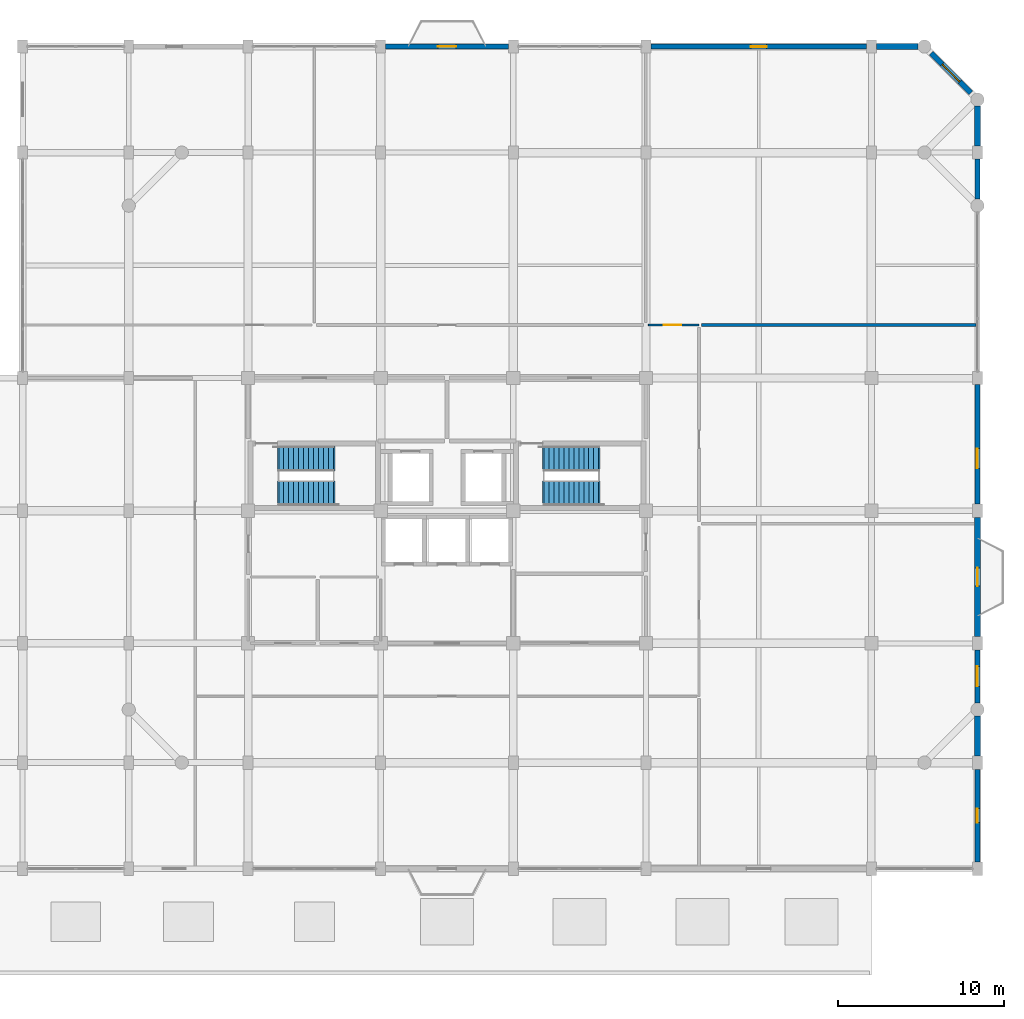
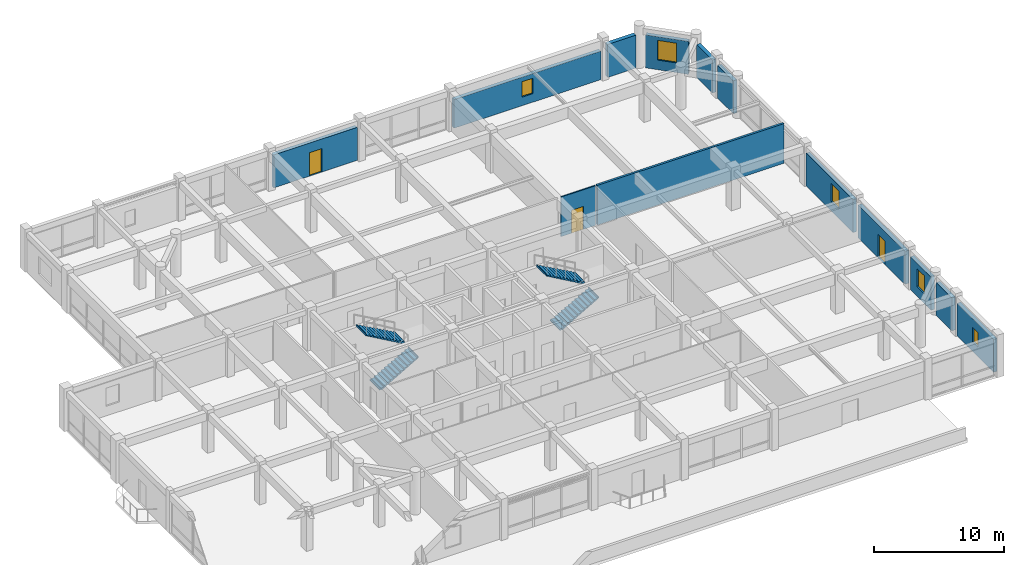
# One storey, part 18 of 20: 13 walls, 5 windows, 4 stair flights, 3 doors, 8 openings, 2 elements without a shape of their own.
"""IFC4 building model written with IfcOpenShell, lengths in metres."""

import ifcopenshell
import ifcopenshell.guid

model = None  # the IFC model being written
_history = None  # IfcOwnerHistory: only IFC2X3 demands one
_inside = {}  # id of a spatial element -> (the spatial element, [elements in it])
_under = {}  # id of a project, library or spatial element -> (it, [spatial elements below it])
_declared = {}  # id of a project -> (the project, [libraries it declares])
_typed = {}  # id of a type object -> (the type object, [elements of that type])
_made_of = {}  # id of a material, layer set ... -> (it, [elements and type objects made of it])


def new_model(schema):
    """Start an empty IFC model of exactly this schema.

    Asked for "IFC4X3", IfcOpenShell would pick the latest addendum, in which some entities
    have other attributes; the version numbers below select the first issue.
    IFC2X3 requires an IfcOwnerHistory on every rooted entity: one is made here for all.
    """
    global model, _history
    if schema == "IFC4X3":
        model = ifcopenshell.file(schema_version=(4, 3, 0, 0))
    else:
        model = ifcopenshell.file(schema=schema)
    _inside.clear()
    _under.clear()
    _declared.clear()
    _typed.clear()
    _made_of.clear()
    _history = None
    if model.schema == "IFC2X3":
        org = make("IfcOrganization", Name="unknown")
        user = make(
            "IfcPersonAndOrganization",
            ThePerson=make("IfcPerson", FamilyName="unknown"),
            TheOrganization=org,
        )
        app = make(
            "IfcApplication",
            ApplicationDeveloper=org,
            Version="unknown",
            ApplicationFullName="unknown",
            ApplicationIdentifier="unknown",
        )
        _history = make(
            "IfcOwnerHistory",
            OwningUser=user,
            OwningApplication=app,
            ChangeAction="ADDED",
            CreationDate=0,
        )
    return model


def make(cls, **values):
    """One entity of the class cls with the attributes given. An attribute that is None is left unset."""
    return model.create_entity(
        cls, **{name: value for name, value in values.items() if value is not None}
    )


def rooted(cls, **values):
    """An entity with a GlobalId (a new one), such as an element, a storey or a relation."""
    return make(cls, GlobalId=ifcopenshell.guid.new(), OwnerHistory=_history, **values)


def si_unit(unit_type, name, prefix=None):
    """IfcSIUnit, for example si_unit("LENGTHUNIT", "METRE", prefix="MILLI")."""
    return make("IfcSIUnit", UnitType=unit_type, Prefix=prefix, Name=name)


def assignment(units):
    """IfcUnitAssignment: the units of a project."""
    return None if units is None else make("IfcUnitAssignment", Units=units)


def point(xyz):
    """IfcCartesianPoint."""
    return None if xyz is None else make("IfcCartesianPoint", Coordinates=xyz)


def direction(xyz):
    """IfcDirection."""
    return None if xyz is None else make("IfcDirection", DirectionRatios=xyz)


def frame(location, z_axis=None, x_axis=None):
    """IfcAxis2Placement3D, a coordinate frame: its origin and axes. An axis left out is left unset."""
    return make(
        "IfcAxis2Placement3D",
        Location=point(location),
        Axis=direction(z_axis),
        RefDirection=direction(x_axis),
    )


def frame_2d(location, x_axis=None):
    """IfcAxis2Placement2D, a coordinate frame in the plane: its origin and x axis."""
    return make(
        "IfcAxis2Placement2D", Location=point(location), RefDirection=direction(x_axis)
    )


def origin():
    """The frame at (0, 0, 0) with its axes left unset."""
    return frame((0.0, 0.0, 0.0))


def place(relative_to, where):
    """IfcLocalPlacement: puts the frame where relative to a parent placement (None: the world)."""
    return make(
        "IfcLocalPlacement", PlacementRelTo=relative_to, RelativePlacement=where
    )


def context(
    kind, dimensions, precision=None, world=None, true_north=None, identifier=None
):
    """IfcGeometricRepresentationContext, for example the 3D "Model" context."""
    return make(
        "IfcGeometricRepresentationContext",
        ContextIdentifier=identifier,
        ContextType=kind,
        CoordinateSpaceDimension=dimensions,
        Precision=precision,
        WorldCoordinateSystem=world,
        TrueNorth=true_north,
    )


def subcontext(parent, identifier, kind, view, scale=None):
    """IfcGeometricRepresentationSubContext, for example "Body" below "Model"."""
    return make(
        "IfcGeometricRepresentationSubContext",
        ContextIdentifier=identifier,
        ContextType=kind,
        ParentContext=parent,
        TargetScale=scale,
        TargetView=view,
    )


def project(units=None, contexts=None):
    """IfcProject with its units and contexts."""
    return rooted(
        "IfcProject",
        Name="project",
        RepresentationContexts=contexts,
        UnitsInContext=assignment(units),
    )


def spatial(cls, under=None, at=None, **own):
    """A site, building, storey or space (cls), placed at a placement, below another one or the project."""
    s = rooted(cls, ObjectPlacement=at, **own)
    if under is not None:
        _under.setdefault(under.id(), (under, []))[1].append(s)
    return s


def polyline(points):
    """IfcPolyline through the points."""
    return make("IfcPolyline", Points=[point(p) for p in points])


def profile(cls, at=None, kind="AREA", **sizes):
    """A parametric profile (cls). Its sizes go by their IFC names, for example OverallWidth=200.0."""
    return make(cls, ProfileType=kind, Position=at, **sizes)


def rectangle(**sizes):
    """IfcRectangleProfileDef."""
    return profile("IfcRectangleProfileDef", **sizes)


def outline(outer, holes=None, kind="AREA"):
    """IfcArbitraryClosedProfileDef: a profile drawn as a closed curve; with holes, ...WithVoids."""
    if holes is None:
        return make("IfcArbitraryClosedProfileDef", ProfileType=kind, OuterCurve=outer)
    return make(
        "IfcArbitraryProfileDefWithVoids",
        ProfileType=kind,
        OuterCurve=outer,
        InnerCurves=holes,
    )


def extrude(swept, where, along, depth):
    """IfcExtrudedAreaSolid: the profile swept, set in the frame where, extruded along a direction by depth."""
    return make(
        "IfcExtrudedAreaSolid",
        SweptArea=swept,
        Position=where,
        ExtrudedDirection=direction(along),
        Depth=depth,
    )


def shape(context_of_items, identifier, shape_type, items):
    """IfcShapeRepresentation: the items that make up one representation, for example the "Body"."""
    return make(
        "IfcShapeRepresentation",
        ContextOfItems=context_of_items,
        RepresentationIdentifier=identifier,
        RepresentationType=shape_type,
        Items=items,
    )


def material(Name=None, Category=None):
    """IfcMaterial."""
    return make("IfcMaterial", Name=Name, Category=Category)


def layer(
    of_material, thickness, ventilated=None, Name=None, Category=None, Priority=None
):
    """IfcMaterialLayer: one layer of a wall or slab, of a material (None: an air gap)."""
    return make(
        "IfcMaterialLayer",
        Material=of_material,
        LayerThickness=thickness,
        IsVentilated=ventilated,
        Name=Name,
        Category=Category,
        Priority=Priority,
    )


def layer_set(layers, Name=None):
    """IfcMaterialLayerSet."""
    return make("IfcMaterialLayerSet", MaterialLayers=layers, LayerSetName=Name)


def made_of(thing, what):
    """Note that an element or type object is made of a material, layer set ...; save() writes the relation."""
    if what is not None:
        _made_of.setdefault(what.id(), (what, []))[1].append(thing)
    return thing


def type_object(cls, material=None, **own):
    """A type object (cls), such as IfcWallType, which elements share."""
    return made_of(rooted(cls, **own), material)


def element(
    cls,
    number,
    at=None,
    inside=None,
    cuts=None,
    type_object=None,
    material=None,
    context=None,
    identifier="Body",
    shape_type=None,
    held_by="IfcProductDefinitionShape",
    body=None,
    shapes=None,
    **own,
):
    """One element of the class cls, such as IfcWall. Its Tag is "e" and its number.

    at: its placement. inside: the storey or other place that contains it. cuts: it is an
    opening in that element (IfcRelVoidsElement). A single representation is given by context,
    identifier, shape_type and body (its items); several are given by shapes. held_by: the class
    of the entity that holds the representations. save() writes the other relations.
    """
    e = rooted(cls, Tag="e%d" % number, ObjectPlacement=at, **own)
    if body is not None:
        shapes = [shape(context, identifier, shape_type, body)]
    if shapes is not None:
        e.Representation = make(held_by, Representations=shapes)
    if inside is not None:
        _inside.setdefault(inside.id(), (inside, []))[1].append(e)
    if cuts is not None:
        rooted(
            "IfcRelVoidsElement", RelatingBuildingElement=cuts, RelatedOpeningElement=e
        )
    if type_object is not None:
        _typed.setdefault(type_object.id(), (type_object, []))[1].append(e)
    return made_of(e, material)


def fill(opening, filler):
    """IfcRelFillsElement: the door or window that sits in an opening."""
    return rooted(
        "IfcRelFillsElement",
        RelatingOpeningElement=opening,
        RelatedBuildingElement=filler,
    )


def aggregate(whole, parts):
    """IfcRelAggregates: a whole, such as a stair, and the parts it consists of."""
    return rooted("IfcRelAggregates", RelatingObject=whole, RelatedObjects=parts)


def save(model, path):
    """Write the relations noted so far, then the file.

    IfcRelAggregates (storeys below a building ...), IfcRelContainedInSpatialStructure (elements
    in a storey), IfcRelDefinesByType, IfcRelAssociatesMaterial and IfcRelDeclares: one each for
    every whole, place, type object, material and project.
    """
    for whole, parts in _under.values():
        aggregate(whole, parts)
    for where, things in _inside.values():
        rooted(
            "IfcRelContainedInSpatialStructure",
            RelatedElements=things,
            RelatingStructure=where,
        )
    for kind, things in _typed.values():
        rooted("IfcRelDefinesByType", RelatedObjects=things, RelatingType=kind)
    for what, things in _made_of.values():
        rooted("IfcRelAssociatesMaterial", RelatedObjects=things, RelatingMaterial=what)
    for by, libraries in _declared.values():
        rooted("IfcRelDeclares", RelatingContext=by, RelatedDefinitions=libraries)
    model.write(path)


model = new_model("IFC4")

# Units and contexts
model_context = context("Model", 3, precision=1e-05, world=origin(), true_north=direction((0.0, 1.0)))
body_context = subcontext(model_context, "Body", "Model", "MODEL_VIEW")
ifc_project = project(units=[si_unit("LENGTHUNIT", "METRE"), si_unit("AREAUNIT", "SQUARE_METRE"), si_unit("VOLUMEUNIT", "CUBIC_METRE"), si_unit("PLANEANGLEUNIT", "RADIAN"), si_unit("MASSUNIT", "GRAM", prefix="KILO")], contexts=[model_context])

# Site, building, storey
site_placement = place(None, origin())
site = spatial("IfcSite", under=ifc_project, at=site_placement, CompositionType="ELEMENT")
building_placement = place(site_placement, origin())
building = spatial("IfcBuilding", under=site, at=building_placement, Name="Vellmiral Cinema and Media Centre", CompositionType="ELEMENT")
storey_placement = place(building_placement, frame((0.0, 0.0, 23.800048828125)))
storey = spatial("IfcBuildingStorey", under=building, at=storey_placement, Name="L05", CompositionType="ELEMENT", Elevation=23.800048828125)

# Wall, opening, window
ifc_material_1 = material(Name="Polychrome Glazed Ceramic Cladding", Category="masonry")
ifc_layer_1 = layer(ifc_material_1, 0.320068359375, Name="Polychrome Glazed Ceramic Cladding")
ifc_layer_set_1 = layer_set([ifc_layer_1], Name="Polychrome Glazed Ceramic Cladding")
wall_type_1 = type_object("IfcWallType", Name="WL-EXT-BRICK-320", PredefinedType="SOLIDWALL", material=ifc_layer_set_1)
wall_1_placement = place(storey_placement, frame((168.0, 66.0, 0.0), z_axis=(0.0, 0.0, 1.0), x_axis=(0.0, 1.0, 0.0)))
wall_1 = element("IfcWall", 1, at=wall_1_placement, inside=storey, type_object=wall_type_1, Name="Exterior Facade Wall L05-009", PredefinedType="SOLIDWALL", context=body_context, shape_type="SweptSolid", body=[
    extrude(rectangle(XDim=5.60009765625, YDim=0.320068359375, at=frame_2d((2.800048828125, 0.0))), origin(), (0.0, 0.0, 1.0), 3.0849609375),
])
opening_1_placement = place(wall_1_placement, frame((2.375, 0.0, 0.89990234375)))
opening_1 = element("IfcOpeningElement", 2, at=opening_1_placement, cuts=wall_1, Name="Opening WN-13", PredefinedType="OPENING", context=body_context, shape_type="SweptSolid", body=[
    extrude(rectangle(XDim=0.85009765625, YDim=1.35009765625, at=frame_2d((0.425048828125, 0.675048828125))), frame((0.0, 0.171875, 0.0), z_axis=(0.0, -1.0, 0.0), x_axis=(1.0, 0.0, 0.0)), (0.0, 0.0, 1.0), 0.343994140625),
])
ifc_material_2 = material(Name="Thermally Broken Aluminium Triple Glazing", Category="aluminium")
window_type_1 = type_object("IfcWindowType", Name="WN-0850x1350", PartitioningType="SINGLE_PANEL", PredefinedType="WINDOW", material=ifc_material_2)
window_1_placement = place(opening_1_placement, origin())
window_1 = element("IfcWindow", 3, at=window_1_placement, inside=storey, type_object=window_type_1, Name="Window L05-009", OverallHeight=1.35009765625, OverallWidth=0.85009765625, PartitioningType="SINGLE_PANEL", PredefinedType="WINDOW", context=body_context, shape_type="SweptSolid", body=[
    extrude(rectangle(XDim=0.85009765625, YDim=1.35009765625, at=frame_2d((0.425048828125, 0.675048828125))), frame((0.0, 0.030029296875, 0.0), z_axis=(0.0, -1.0, 0.0), x_axis=(1.0, 0.0, 0.0)), (0.0, 0.0, 1.0), 0.06005859375),
])
fill(opening_1, window_1)

wall_2_placement = place(storey_placement, frame((168.0, 75.60009765625, 0.0), z_axis=(0.0, 0.0, 1.0), x_axis=(0.0, 1.0, 0.0)))
wall_2 = element("IfcWall", 4, at=wall_2_placement, inside=storey, type_object=wall_type_1, Name="Exterior Facade Wall L05-011", PredefinedType="SOLIDWALL", context=body_context, shape_type="SweptSolid", body=[
    extrude(rectangle(XDim=3.199951171875, YDim=0.320068359375, at=frame_2d((1.60009765625, 0.0))), origin(), (0.0, 0.0, 1.0), 3.099853515625),
])
opening_2_placement = place(wall_2_placement, frame((1.0, 0.0, 0.89990234375)))
opening_2 = element("IfcOpeningElement", 5, at=opening_2_placement, cuts=wall_2, Name="Opening WN-10", PredefinedType="OPENING", context=body_context, shape_type="SweptSolid", body=[
    extrude(rectangle(XDim=1.199951171875, YDim=1.699951171875, at=frame_2d((0.60009765625, 0.85009765625))), frame((0.0, 0.171875, 0.0), z_axis=(0.0, -1.0, 0.0), x_axis=(1.0, 0.0, 0.0)), (0.0, 0.0, 1.0), 0.343994140625),
])
ifc_material_3 = material(Name="Thermally Broken Aluminium Triple Glazing", Category="aluminium")
window_type_2 = type_object("IfcWindowType", Name="WN-1200x1700", PartitioningType="SINGLE_PANEL", PredefinedType="WINDOW", material=ifc_material_3)
window_2_placement = place(opening_2_placement, origin())
window_2 = element("IfcWindow", 6, at=window_2_placement, inside=storey, type_object=window_type_2, Name="Window L05-011", OverallHeight=1.699951171875, OverallWidth=1.199951171875, PartitioningType="SINGLE_PANEL", PredefinedType="WINDOW", context=body_context, shape_type="SweptSolid", body=[
    extrude(rectangle(XDim=1.199951171875, YDim=1.699951171875, at=frame_2d((0.60009765625, 0.85009765625))), frame((0.0, 0.030029296875, 0.0), z_axis=(0.0, -1.0, 0.0), x_axis=(1.0, 0.0, 0.0)), (0.0, 0.0, 1.0), 0.06005859375),
])
fill(opening_2, window_2)

wall_3_placement = place(storey_placement, frame((168.0, 87.60009765625, 0.0), z_axis=(0.0, 0.0, 1.0), x_axis=(0.0, 1.0, 0.0)))
wall_3 = element("IfcWall", 7, at=wall_3_placement, inside=storey, type_object=wall_type_1, Name="Exterior Facade Wall L05-013", PredefinedType="SOLIDWALL", context=body_context, shape_type="SweptSolid", body=[
    extrude(rectangle(XDim=7.199951171875, YDim=0.320068359375, at=frame_2d((3.60009765625, 0.0))), origin(), (0.0, 0.0, 1.0), 3.099853515625),
])
opening_3_placement = place(wall_3_placement, frame((2.14990234375, 0.0, 0.89990234375)))
opening_3 = element("IfcOpeningElement", 8, at=opening_3_placement, cuts=wall_3, Name="Opening WN-10", PredefinedType="OPENING", context=body_context, shape_type="SweptSolid", body=[
    extrude(rectangle(XDim=1.199951171875, YDim=1.699951171875, at=frame_2d((0.60009765625, 0.85009765625))), frame((0.0, 0.171875, 0.0), z_axis=(0.0, -1.0, 0.0), x_axis=(1.0, 0.0, 0.0)), (0.0, 0.0, 1.0), 0.343994140625),
])
window_3_placement = place(opening_3_placement, origin())
window_3 = element("IfcWindow", 9, at=window_3_placement, inside=storey, type_object=window_type_2, Name="Window L05-013", OverallHeight=1.699951171875, OverallWidth=1.199951171875, PartitioningType="SINGLE_PANEL", PredefinedType="WINDOW", context=body_context, shape_type="SweptSolid", body=[
    extrude(rectangle(XDim=1.199951171875, YDim=1.699951171875, at=frame_2d((0.60009765625, 0.85009765625))), frame((0.0, 0.030029296875, 0.0), z_axis=(0.0, -1.0, 0.0), x_axis=(1.0, 0.0, 0.0)), (0.0, 0.0, 1.0), 0.06005859375),
])
fill(opening_3, window_3)

# Wall
wall_4_placement = place(storey_placement, frame((168.0, 106.0, 0.0), z_axis=(0.0, 0.0, 1.0), x_axis=(0.0, 1.0, 0.0)))
element("IfcWall", 10, at=wall_4_placement, inside=storey, type_object=wall_type_1, Name="Exterior Facade Wall L05-015", PredefinedType="SOLIDWALL", context=body_context, shape_type="SweptSolid", body=[
    extrude(rectangle(XDim=2.39990234375, YDim=0.320068359375, at=frame_2d((1.199951171875, 0.0))), origin(), (0.0, 0.0, 1.0), 3.0849609375),
])

# Wall, opening, window
wall_5_placement = place(storey_placement, frame((167.60009765625, 112.39990234375, 0.0), z_axis=(0.0, 0.0, 1.0), x_axis=(-0.707106781187, 0.707106781187, 0.0)))
wall_5 = element("IfcWall", 11, at=wall_5_placement, inside=storey, type_object=wall_type_1, Name="Exterior Facade Wall L05-017", PredefinedType="SOLIDWALL", context=body_context, shape_type="SweptSolid", body=[
    extrude(rectangle(XDim=3.394287109375, YDim=0.320068359375, at=frame_2d((1.697265625, 0.0))), origin(), (0.0, 0.0, 1.0), 3.094970703125),
])
opening_4_placement = place(wall_5_placement, frame((0.947021484375, 0.0, 0.89990234375)))
opening_4 = element("IfcOpeningElement", 12, at=opening_4_placement, cuts=wall_5, Name="Opening WN-06", PredefinedType="OPENING", context=body_context, shape_type="SweptSolid", body=[
    extrude(rectangle(XDim=1.5, YDim=1.85009765625, at=frame_2d((0.75, 0.925048828125))), frame((0.0, 0.171875, 0.0), z_axis=(0.0, -1.0, 0.0), x_axis=(1.0, 0.0, 0.0)), (0.0, 0.0, 1.0), 0.343994140625),
])
ifc_material_4 = material(Name="Thermally Broken Aluminium Triple Glazing", Category="aluminium")
window_type_3 = type_object("IfcWindowType", Name="WN-1500x1850", PartitioningType="SINGLE_PANEL", PredefinedType="WINDOW", material=ifc_material_4)
window_4_placement = place(opening_4_placement, origin())
window_4 = element("IfcWindow", 13, at=window_4_placement, inside=storey, type_object=window_type_3, Name="Window L05-017", OverallHeight=1.85009765625, OverallWidth=1.5, PartitioningType="SINGLE_PANEL", PredefinedType="WINDOW", context=body_context, shape_type="SweptSolid", body=[
    extrude(rectangle(XDim=1.5, YDim=1.85009765625, at=frame_2d((0.75, 0.925048828125))), frame((0.0, 0.030029296875, 0.0), z_axis=(0.0, -1.0, 0.0), x_axis=(1.0, 0.0, 0.0)), (0.0, 0.0, 1.0), 0.06005859375),
])
fill(opening_4, window_4)

wall_6_placement = place(storey_placement, frame((161.300048828125, 115.199951171875, 0.0), z_axis=(0.0, 0.0, 1.0), x_axis=(-1.0, 0.0, 0.0)))
wall_6 = element("IfcWall", 14, at=wall_6_placement, inside=storey, type_object=wall_type_1, Name="Exterior Facade Wall L05-019", PredefinedType="SOLIDWALL", context=body_context, shape_type="SweptSolid", body=[
    extrude(rectangle(XDim=13.0, YDim=0.320068359375, at=frame_2d((6.5, 0.0))), origin(), (0.0, 0.0, 1.0), 2.68505859375),
])
opening_5_placement = place(wall_6_placement, frame((6.02490234375, 0.0, 0.800048828125)))
opening_5 = element("IfcOpeningElement", 15, at=opening_5_placement, cuts=wall_6, Name="Opening WN-12", PredefinedType="OPENING", context=body_context, shape_type="SweptSolid", body=[
    extrude(rectangle(XDim=0.949951171875, YDim=1.449951171875, at=frame_2d((0.47509765625, 0.72509765625))), frame((0.0, 0.171875, 0.0), z_axis=(0.0, -1.0, 0.0), x_axis=(1.0, 0.0, 0.0)), (0.0, 0.0, 1.0), 0.343994140625),
])
ifc_material_5 = material(Name="Thermally Broken Aluminium Triple Glazing", Category="aluminium")
window_type_4 = type_object("IfcWindowType", Name="WN-0950x1450", PartitioningType="SINGLE_PANEL", PredefinedType="WINDOW", material=ifc_material_5)
window_5_placement = place(opening_5_placement, origin())
window_5 = element("IfcWindow", 16, at=window_5_placement, inside=storey, type_object=window_type_4, Name="Window L05-019", OverallHeight=1.449951171875, OverallWidth=0.949951171875, PartitioningType="SINGLE_PANEL", PredefinedType="WINDOW", context=body_context, shape_type="SweptSolid", body=[
    extrude(rectangle(XDim=0.949951171875, YDim=1.449951171875, at=frame_2d((0.47509765625, 0.72509765625))), frame((0.0, 0.030029296875, 0.0), z_axis=(0.0, -1.0, 0.0), x_axis=(1.0, 0.0, 0.0)), (0.0, 0.0, 1.0), 0.06005859375),
])
fill(opening_5, window_5)

# Wall, opening, door
wall_7_placement = place(storey_placement, frame((139.699951171875, 115.199951171875, 0.0), z_axis=(0.0, 0.0, 1.0), x_axis=(-1.0, 0.0, 0.0)))
wall_7 = element("IfcWall", 17, at=wall_7_placement, inside=storey, type_object=wall_type_1, Name="Exterior Facade Wall L05-021", PredefinedType="SOLIDWALL", context=body_context, shape_type="SweptSolid", body=[
    extrude(rectangle(XDim=7.39990234375, YDim=0.320068359375, at=frame_2d((3.699951171875, 0.0))), origin(), (0.0, 0.0, 1.0), 3.099853515625),
])
opening_6_placement = place(wall_7_placement, frame((3.14990234375, 0.0, 0.0)))
opening_6 = element("IfcOpeningElement", 18, at=opening_6_placement, cuts=wall_7, Name="Opening DE-06", PredefinedType="OPENING", context=body_context, shape_type="SweptSolid", body=[
    extrude(rectangle(XDim=1.10009765625, YDim=2.199951171875, at=frame_2d((0.550048828125, 1.10009765625))), frame((0.0, 0.171875, 0.0), z_axis=(0.0, -1.0, 0.0), x_axis=(1.0, 0.0, 0.0)), (0.0, 0.0, 1.0), 0.343994140625),
])
ifc_material_6 = material(Name="Thermally Broken Glazed Aluminium and Bronze Door", Category="aluminium")
door_type_1 = type_object("IfcDoorType", Name="DR-MIRA-1100x2200", OperationType="NOTDEFINED", PredefinedType="DOOR", material=ifc_material_6)
door_1_placement = place(opening_6_placement, frame((1.10009765625, 0.0, 0.0), z_axis=(0.0, 0.0, 1.0), x_axis=(-1.0, 0.0, 0.0)))
door_1 = element("IfcDoor", 19, at=door_1_placement, inside=storey, type_object=door_type_1, Name="Mirador Balcony Door L05-N", OperationType="SINGLE_SWING_LEFT", OverallHeight=2.199951171875, OverallWidth=1.10009765625, PredefinedType="DOOR", context=body_context, shape_type="SweptSolid", body=[
    extrude(rectangle(XDim=1.10009765625, YDim=2.199951171875, at=frame_2d((0.550048828125, 1.10009765625))), frame((0.0, 0.02490234375, 0.0), z_axis=(0.0, -1.0, 0.0), x_axis=(1.0, 0.0, 0.0)), (0.0, 0.0, 1.0), 0.050048828125),
])
fill(opening_6, door_1)

# Wall
ifc_material_7 = material(Name="Vosges Red Sandstone Masonry", Category="masonry")
ifc_layer_2 = layer(ifc_material_7, 0.340087890625, Name="Vosges Red Sandstone Masonry")
ifc_layer_set_2 = layer_set([ifc_layer_2], Name="Vosges Red Sandstone Masonry")
wall_type_2 = type_object("IfcWallType", Name="WL-EXT-SAND-340", PredefinedType="SOLIDWALL", material=ifc_layer_set_2)
wall_8_placement = place(storey_placement, frame((168.0, 72.39990234375, 0.0), z_axis=(0.0, 0.0, 1.0), x_axis=(0.0, 1.0, 0.0)))
element("IfcWall", 20, at=wall_8_placement, inside=storey, type_object=wall_type_2, Name="Exterior Facade Wall L05-010", PredefinedType="SOLIDWALL", context=body_context, shape_type="SweptSolid", body=[
    extrude(rectangle(XDim=2.400146484375, YDim=0.340087890625, at=frame_2d((1.2001953125, 0.0))), origin(), (0.0, 0.0, 1.0), 3.099853515625),
])

# Wall, opening, door
wall_9_placement = place(storey_placement, frame((168.0, 79.60009765625, 0.0), z_axis=(0.0, 0.0, 1.0), x_axis=(0.0, 1.0, 0.0)))
wall_9 = element("IfcWall", 21, at=wall_9_placement, inside=storey, type_object=wall_type_2, Name="Exterior Facade Wall L05-012", PredefinedType="SOLIDWALL", context=body_context, shape_type="SweptSolid", body=[
    extrude(rectangle(XDim=7.199951171875, YDim=0.340087890625, at=frame_2d((3.60009765625, 0.0))), origin(), (0.0, 0.0, 1.0), 3.099853515625),
])
opening_7_placement = place(wall_9_placement, frame((3.050048828125, 0.0, 0.0)))
opening_7 = element("IfcOpeningElement", 22, at=opening_7_placement, cuts=wall_9, Name="Opening DE-06", PredefinedType="OPENING", context=body_context, shape_type="SweptSolid", body=[
    extrude(rectangle(XDim=1.10009765625, YDim=2.199951171875, at=frame_2d((0.550048828125, 1.10009765625))), frame((0.0, 0.18212890625, 0.0), z_axis=(0.0, -1.0, 0.0), x_axis=(1.0, 0.0, 0.0)), (0.0, 0.0, 1.0), 0.364013671875),
])
door_2_placement = place(opening_7_placement, frame((1.10009765625, 0.0, 0.0), z_axis=(0.0, 0.0, 1.0), x_axis=(-1.0, 0.0, 0.0)))
door_2 = element("IfcDoor", 23, at=door_2_placement, inside=storey, type_object=door_type_1, Name="Mirador Balcony Door L05-E", OperationType="SINGLE_SWING_RIGHT", OverallHeight=2.199951171875, OverallWidth=1.10009765625, PredefinedType="DOOR", context=body_context, shape_type="SweptSolid", body=[
    extrude(rectangle(XDim=1.10009765625, YDim=2.199951171875, at=frame_2d((0.550048828125, 1.10009765625))), frame((0.0, 0.02490234375, 0.0), z_axis=(0.0, -1.0, 0.0), x_axis=(1.0, 0.0, 0.0)), (0.0, 0.0, 1.0), 0.050048828125),
])
fill(opening_7, door_2)

# Walls
wall_10_placement = place(storey_placement, frame((168.0, 109.199951171875, 0.0), z_axis=(0.0, 0.0, 1.0), x_axis=(0.0, 1.0, 0.0)))
element("IfcWall", 24, at=wall_10_placement, inside=storey, type_object=wall_type_2, Name="Exterior Facade Wall L05-016", PredefinedType="SOLIDWALL", context=body_context, shape_type="SweptSolid", body=[
    extrude(rectangle(XDim=2.400146484375, YDim=0.340087890625, at=frame_2d((1.2001953125, 0.0))), origin(), (0.0, 0.0, 1.0), 3.099853515625),
])
wall_11_placement = place(storey_placement, frame((164.39990234375, 115.199951171875, 0.0), z_axis=(0.0, 0.0, 1.0), x_axis=(-1.0, 0.0, 0.0)))
element("IfcWall", 25, at=wall_11_placement, inside=storey, type_object=wall_type_2, Name="Exterior Facade Wall L05-018", PredefinedType="SOLIDWALL", context=body_context, shape_type="SweptSolid", body=[
    extrude(rectangle(XDim=2.5, YDim=0.340087890625, at=frame_2d((1.25, 0.0))), origin(), (0.0, 0.0, 1.0), 3.099853515625),
])

# Wall, opening, door
ifc_material_8 = material(Name="Gypsum Plasterboard")
ifc_layer_3 = layer(ifc_material_8, 0.02490234375, Name="Gypsum Plasterboard", Category="gypsum")
ifc_material_9 = material(Name="Mineral Wool Acoustic Insulation", Category="insulation")
ifc_layer_4 = layer(ifc_material_9, 0.06005859375, Name="Mineral Wool Acoustic Insulation", Category="insulation")
ifc_layer_5 = layer(ifc_material_8, 0.02490234375, Name="Gypsum Plasterboard", Category="gypsum")
ifc_layer_set_3 = layer_set([ifc_layer_3, ifc_layer_4, ifc_layer_5], Name="Gypsum Plasterboard")
wall_type_3 = type_object("IfcWallType", Name="WL-PART-110", PredefinedType="PARTITIONING", material=ifc_layer_set_3)
wall_12_placement = place(storey_placement, frame((148.139892578125, 98.39990234375, 0.0), z_axis=(0.0, 0.0, 1.0), x_axis=(1.0, 0.0, 0.0)))
wall_12 = element("IfcWall", 26, at=wall_12_placement, inside=storey, type_object=wall_type_3, Name="North-East Assignment Meeting Room Wall S", PredefinedType="PARTITIONING", context=body_context, shape_type="SweptSolid", body=[
    extrude(rectangle(XDim=3.06005859375, YDim=0.110107421875, at=frame_2d((1.530029296875, 0.0))), origin(), (0.0, 0.0, 1.0), 3.719970703125),
])
opening_8_placement = place(wall_12_placement, frame((0.93505859375, 0.0, 0.0)))
opening_8 = element("IfcOpeningElement", 27, at=opening_8_placement, cuts=wall_12, Name="Opening D-I07", PredefinedType="OPENING", context=body_context, shape_type="SweptSolid", body=[
    extrude(rectangle(XDim=1.050048828125, YDim=2.14990234375, at=frame_2d((0.52490234375, 1.074951171875))), frame((0.0, 0.06689453125, 0.0), z_axis=(0.0, -1.0, 0.0), x_axis=(1.0, 0.0, 0.0)), (0.0, 0.0, 1.0), 0.134033203125),
])
ifc_material_10 = material(Name="Laminated Timber Door", Category="wood")
door_type_2 = type_object("IfcDoorType", Name="DR-INT-1050x2150", OperationType="NOTDEFINED", PredefinedType="DOOR", material=ifc_material_10)
door_3_placement = place(opening_8_placement, origin())
door_3 = element("IfcDoor", 28, at=door_3_placement, inside=storey, type_object=door_type_2, Name="North-East Assignment Meeting Room Door", OperationType="SINGLE_SWING_LEFT", OverallHeight=2.14990234375, OverallWidth=1.050048828125, PredefinedType="DOOR", context=body_context, shape_type="SweptSolid", body=[
    extrude(rectangle(XDim=1.050048828125, YDim=2.14990234375, at=frame_2d((0.52490234375, 1.074951171875))), frame((0.0, 0.02490234375, 0.0), z_axis=(0.0, -1.0, 0.0), x_axis=(1.0, 0.0, 0.0)), (0.0, 0.0, 1.0), 0.050048828125),
])
fill(opening_8, door_3)

# Wall
ifc_material_11 = material(Name="Gypsum Plasterboard")
ifc_layer_6 = layer(ifc_material_11, 0.02490234375, Name="Gypsum Plasterboard", Category="gypsum")
ifc_material_12 = material(Name="Mineral Wool Acoustic Insulation", Category="insulation")
ifc_layer_7 = layer(ifc_material_12, 0.139892578125, Name="Mineral Wool Acoustic Insulation", Category="insulation")
ifc_layer_8 = layer(ifc_material_11, 0.02490234375, Name="Gypsum Plasterboard", Category="gypsum")
ifc_layer_set_4 = layer_set([ifc_layer_6, ifc_layer_7, ifc_layer_8], Name="Gypsum Plasterboard")
wall_type_4 = type_object("IfcWallType", Name="WL-PART-190", PredefinedType="PARTITIONING", material=ifc_layer_set_4)
wall_13_placement = place(storey_placement, frame((151.340087890625, 98.39990234375, 0.0), z_axis=(0.0, 0.0, 1.0), x_axis=(1.0, 0.0, 0.0)))
element("IfcWall", 29, at=wall_13_placement, inside=storey, type_object=wall_type_4, Name="East Media Editorial Office Wall N", PredefinedType="PARTITIONING", context=body_context, shape_type="SweptSolid", body=[
    extrude(rectangle(XDim=16.56494140625, YDim=0.18994140625, at=frame_2d((8.282470703125, 0.0))), origin(), (0.0, 0.0, 1.0), 3.719970703125),
])

# Stair, stair flights
ifc_material_13 = material(Name="Concrete C40/50", Category="concrete")
stair_type = type_object("IfcStairType", Name="ST-2RET-400", PredefinedType="HALF_TURN_STAIR", material=ifc_material_13)
stair_1_placement = place(storey_placement, origin())
stair_1 = element("IfcStair", 30, at=stair_1_placement, inside=storey, type_object=stair_type, Name="Protected Escape Stair ST-T1 (L05)", PredefinedType="HALF_TURN_STAIR")
ifc_material_14 = material(Name="Concrete C40/50", Category="concrete")
stair_flight_type = type_object("IfcStairFlightType", Name="STF-STR-400", PredefinedType="STRAIGHT", material=ifc_material_14)
stair_flight_1_placement = place(storey_placement, frame((125.85009765625, 88.25, 0.0), z_axis=(0.0, 0.0, 1.0), x_axis=(1.0, 0.0, 0.0)))
stair_flight_1 = element("IfcStairFlight", 31, at=stair_flight_1_placement, type_object=stair_flight_type, Name="ST-T1 flight 1", NumberOfRisers=12, NumberOfTreads=11, PredefinedType="STRAIGHT", RiserHeight=0.166666667, TreadLength=0.3, context=body_context, shape_type="SweptSolid", body=[
    extrude(outline(polyline([(-0.080078125, 0.0), (-0.080078125, 0.10009765625), (0.0, 0.166748046875), (0.300048828125, 0.166748046875), (0.300048828125, 0.333251953125), (0.60009765625, 0.333251953125), (0.60009765625, 0.5), (0.89990234375, 0.5), (0.89990234375, 0.666748046875), (1.199951171875, 0.666748046875), (1.199951171875, 0.833251953125), (1.5, 0.833251953125), (1.5, 1.0), (1.800048828125, 1.0), (1.800048828125, 1.166748046875), (2.10009765625, 1.166748046875), (2.10009765625, 1.333251953125), (2.39990234375, 1.333251953125), (2.39990234375, 1.5), (2.699951171875, 1.5), (2.699951171875, 1.666748046875), (3.0, 1.666748046875), (3.0, 1.833251953125), (3.300048828125, 1.833251953125), (3.300048828125, 2.0), (3.380126953125, 2.0), (3.380126953125, 1.840087890625), (0.179931640625, 0.0), (-0.080078125, 0.0)])), frame((0.0, 0.75, 0.0), z_axis=(0.0, -1.0, 0.0), x_axis=(1.0, 0.0, 0.0)), (0.0, 0.0, 1.0), 1.5),
])
stair_flight_2_placement = place(storey_placement, frame((129.14990234375, 90.35009765625, 2.0), z_axis=(0.0, 0.0, 1.0), x_axis=(-1.0, 0.0, 0.0)))
stair_flight_2 = element("IfcStairFlight", 32, at=stair_flight_2_placement, type_object=stair_flight_type, Name="ST-T1 flight 2", NumberOfRisers=12, NumberOfTreads=11, PredefinedType="STRAIGHT", RiserHeight=0.166666667, TreadLength=0.3, context=body_context, shape_type="SweptSolid", body=[
    extrude(outline(polyline([(-0.080078125, 0.0), (-0.080078125, 0.10009765625), (0.0, 0.166748046875), (0.300048828125, 0.166748046875), (0.300048828125, 0.333251953125), (0.60009765625, 0.333251953125), (0.60009765625, 0.5), (0.89990234375, 0.5), (0.89990234375, 0.666748046875), (1.199951171875, 0.666748046875), (1.199951171875, 0.833251953125), (1.5, 0.833251953125), (1.5, 1.0), (1.800048828125, 1.0), (1.800048828125, 1.166748046875), (2.10009765625, 1.166748046875), (2.10009765625, 1.333251953125), (2.39990234375, 1.333251953125), (2.39990234375, 1.5), (2.699951171875, 1.5), (2.699951171875, 1.666748046875), (3.0, 1.666748046875), (3.0, 1.833251953125), (3.300048828125, 1.833251953125), (3.300048828125, 2.0), (3.380126953125, 2.0), (3.380126953125, 1.840087890625), (0.179931640625, 0.0), (-0.080078125, 0.0)])), frame((0.0, 0.75, 0.0), z_axis=(0.0, -1.0, 0.0), x_axis=(1.0, 0.0, 0.0)), (0.0, 0.0, 1.0), 1.5),
])
aggregate(stair_1, [stair_flight_1, stair_flight_2])

stair_2_placement = place(storey_placement, origin())
stair_2 = element("IfcStair", 33, at=stair_2_placement, inside=storey, type_object=stair_type, Name="Protected Escape Stair ST-T2 (L05)", PredefinedType="HALF_TURN_STAIR")
stair_flight_3_placement = place(storey_placement, frame((141.85009765625, 88.25, 0.0), z_axis=(0.0, 0.0, 1.0), x_axis=(1.0, 0.0, 0.0)))
stair_flight_3 = element("IfcStairFlight", 34, at=stair_flight_3_placement, type_object=stair_flight_type, Name="ST-T2 flight 1", NumberOfRisers=12, NumberOfTreads=11, PredefinedType="STRAIGHT", RiserHeight=0.166666667, TreadLength=0.3, context=body_context, shape_type="SweptSolid", body=[
    extrude(outline(polyline([(-0.080078125, 0.0), (-0.080078125, 0.10009765625), (0.0, 0.166748046875), (0.300048828125, 0.166748046875), (0.300048828125, 0.333251953125), (0.60009765625, 0.333251953125), (0.60009765625, 0.5), (0.89990234375, 0.5), (0.89990234375, 0.666748046875), (1.199951171875, 0.666748046875), (1.199951171875, 0.833251953125), (1.5, 0.833251953125), (1.5, 1.0), (1.800048828125, 1.0), (1.800048828125, 1.166748046875), (2.10009765625, 1.166748046875), (2.10009765625, 1.333251953125), (2.39990234375, 1.333251953125), (2.39990234375, 1.5), (2.699951171875, 1.5), (2.699951171875, 1.666748046875), (3.0, 1.666748046875), (3.0, 1.833251953125), (3.300048828125, 1.833251953125), (3.300048828125, 2.0), (3.380126953125, 2.0), (3.380126953125, 1.840087890625), (0.179931640625, 0.0), (-0.080078125, 0.0)])), frame((0.0, 0.75, 0.0), z_axis=(0.0, -1.0, 0.0), x_axis=(1.0, 0.0, 0.0)), (0.0, 0.0, 1.0), 1.5),
])
stair_flight_4_placement = place(storey_placement, frame((145.14990234375, 90.35009765625, 2.0), z_axis=(0.0, 0.0, 1.0), x_axis=(-1.0, 0.0, 0.0)))
stair_flight_4 = element("IfcStairFlight", 35, at=stair_flight_4_placement, type_object=stair_flight_type, Name="ST-T2 flight 2", NumberOfRisers=12, NumberOfTreads=11, PredefinedType="STRAIGHT", RiserHeight=0.166666667, TreadLength=0.3, context=body_context, shape_type="SweptSolid", body=[
    extrude(outline(polyline([(-0.080078125, 0.0), (-0.080078125, 0.10009765625), (0.0, 0.166748046875), (0.300048828125, 0.166748046875), (0.300048828125, 0.333251953125), (0.60009765625, 0.333251953125), (0.60009765625, 0.5), (0.89990234375, 0.5), (0.89990234375, 0.666748046875), (1.199951171875, 0.666748046875), (1.199951171875, 0.833251953125), (1.5, 0.833251953125), (1.5, 1.0), (1.800048828125, 1.0), (1.800048828125, 1.166748046875), (2.10009765625, 1.166748046875), (2.10009765625, 1.333251953125), (2.39990234375, 1.333251953125), (2.39990234375, 1.5), (2.699951171875, 1.5), (2.699951171875, 1.666748046875), (3.0, 1.666748046875), (3.0, 1.833251953125), (3.300048828125, 1.833251953125), (3.300048828125, 2.0), (3.380126953125, 2.0), (3.380126953125, 1.840087890625), (0.179931640625, 0.0), (-0.080078125, 0.0)])), frame((0.0, 0.75, 0.0), z_axis=(0.0, -1.0, 0.0), x_axis=(1.0, 0.0, 0.0)), (0.0, 0.0, 1.0), 1.5),
])
aggregate(stair_2, [stair_flight_3, stair_flight_4])

save(model, "model.ifc")
